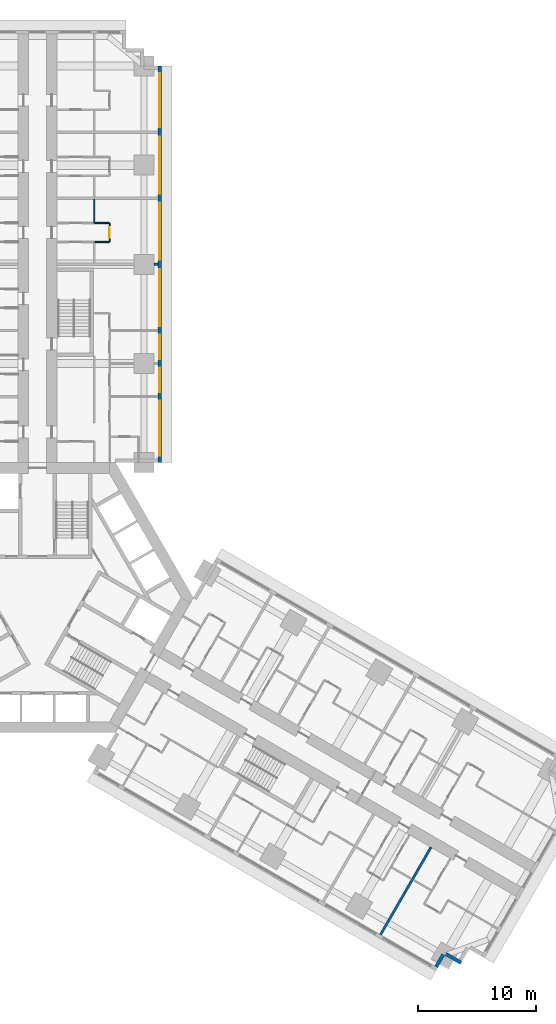
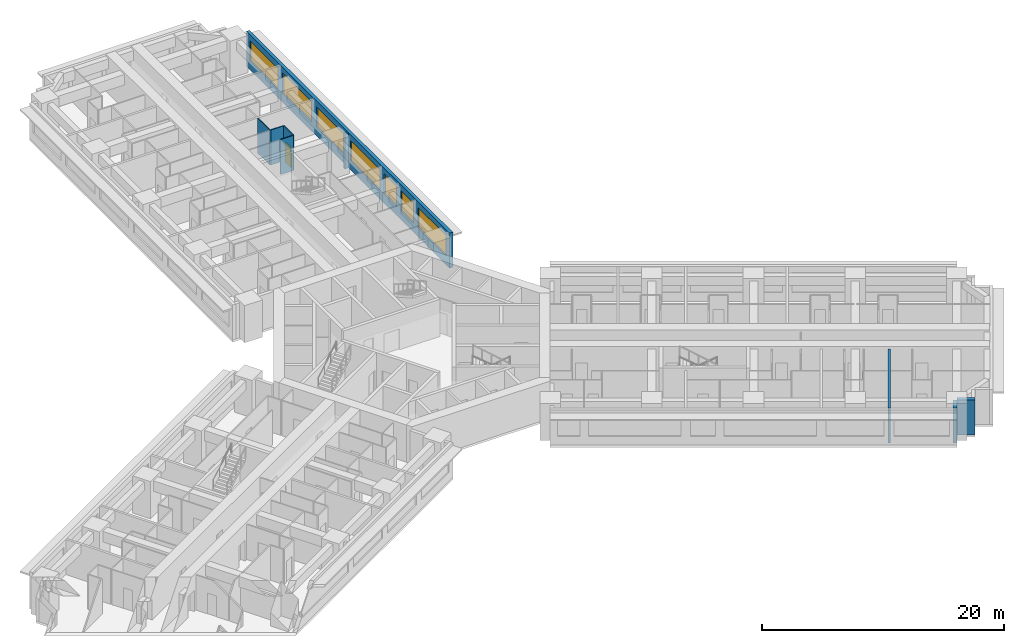
# One storey, part 11 of 17: 9 walls, 7 windows, 1 door, 8 openings.
"""IFC4 building model written with IfcOpenShell, lengths in metres."""

from ifc_helpers import new_model, si_unit, direction, frame, frame_2d, origin, place, context, subcontext, project, spatial, rectangle, extrude, material, layer, layer_set, type_object, element, fill, save


model = new_model("IFC4")

# Units and contexts
model_context = context("Model", 3, precision=1e-05, world=origin(), true_north=direction((0.0, 1.0)))
body_context = subcontext(model_context, "Body", "Model", "MODEL_VIEW")
ifc_project = project(units=[si_unit("LENGTHUNIT", "METRE"), si_unit("AREAUNIT", "SQUARE_METRE"), si_unit("VOLUMEUNIT", "CUBIC_METRE"), si_unit("PLANEANGLEUNIT", "RADIAN"), si_unit("MASSUNIT", "GRAM", prefix="KILO")], contexts=[model_context])

# Site, building, storey
site_placement = place(None, origin())
site = spatial("IfcSite", under=ifc_project, at=site_placement, CompositionType="ELEMENT")
building_placement = place(site_placement, origin())
building = spatial("IfcBuilding", under=site, at=building_placement, Name="Impinga Residences", CompositionType="ELEMENT")
storey_placement = place(building_placement, frame((0.0, 0.0, 33.5)))
storey = spatial("IfcBuildingStorey", under=building, at=storey_placement, Name="L07", CompositionType="ELEMENT", Elevation=33.5)

# Wall, openings, windows
ifc_material_1 = material(Name="Terracotta rainscreen on blockwork", Category="masonry")
ifc_layer_1 = layer(ifc_material_1, 0.300048828125)
ifc_layer_set_1 = layer_set([ifc_layer_1], Name="EW1 external wall, terracotta rainscreen on blockwork 300")
wall_type_1 = type_object("IfcWallType", Name="EW1 external wall, terracotta rainscreen on blockwork 300", PredefinedType="SOLIDWALL", material=ifc_layer_set_1)
wall_1_placement = place(storey_placement, frame((10.35009765625, 45.031494140625, 0.0), z_axis=(0.0, 0.0, 1.0), x_axis=(0.0, -1.0, 0.0)))
wall_1 = element("IfcWall", 1, at=wall_1_placement, inside=storey, type_object=wall_type_1, Name="External wall EW1 L07", PredefinedType="SOLIDWALL", context=body_context, shape_type="SweptSolid", body=[
    extrude(rectangle(XDim=33.599853515625, YDim=0.300048828125, at=frame_2d((16.7998046875, 0.0))), origin(), (0.0, 0.0, 1.0), 3.530029296875),
])
opening_1_placement = place(wall_1_placement, frame((0.60009765625, 0.0, 0.89990234375)))
opening_1 = element("IfcOpeningElement", 2, at=opening_1_placement, cuts=wall_1, Name="Opening W3", PredefinedType="OPENING", context=body_context, shape_type="SweptSolid", body=[
    extrude(rectangle(XDim=4.60009765625, YDim=2.050048828125, at=frame_2d((2.300048828125, 1.02490234375))), frame((0.0, 0.159912109375, 0.0), z_axis=(0.0, -1.0, 0.0), x_axis=(1.0, 0.0, 0.0)), (0.0, 0.0, 1.0), 0.320068359375),
])
opening_2_placement = place(wall_1_placement, frame((6.0, 0.0, 0.89990234375)))
opening_2 = element("IfcOpeningElement", 3, at=opening_2_placement, cuts=wall_1, Name="Opening W8", PredefinedType="OPENING", context=body_context, shape_type="SweptSolid", body=[
    extrude(rectangle(XDim=4.800048828125, YDim=2.050048828125, at=frame_2d((2.39990234375, 1.02490234375))), frame((0.0, 0.159912109375, 0.0), z_axis=(0.0, -1.0, 0.0), x_axis=(1.0, 0.0, 0.0)), (0.0, 0.0, 1.0), 0.320068359375),
])
opening_3_placement = place(wall_1_placement, frame((11.60009765625, 0.0, 0.89990234375)))
opening_3 = element("IfcOpeningElement", 4, at=opening_3_placement, cuts=wall_1, Name="Opening W8", PredefinedType="OPENING", context=body_context, shape_type="SweptSolid", body=[
    extrude(rectangle(XDim=4.800048828125, YDim=2.050048828125, at=frame_2d((2.39990234375, 1.02490234375))), frame((0.0, 0.159912109375, 0.0), z_axis=(0.0, -1.0, 0.0), x_axis=(1.0, 0.0, 0.0)), (0.0, 0.0, 1.0), 0.320068359375),
])
opening_4_placement = place(wall_1_placement, frame((17.199951171875, 0.0, 0.89990234375)))
opening_4 = element("IfcOpeningElement", 5, at=opening_4_placement, cuts=wall_1, Name="Opening W6", PredefinedType="OPENING", context=body_context, shape_type="SweptSolid", body=[
    extrude(rectangle(XDim=4.85009765625, YDim=2.050048828125, at=frame_2d((2.425048828125, 1.02490234375))), frame((0.0, 0.159912109375, 0.0), z_axis=(0.0, -1.0, 0.0), x_axis=(1.0, 0.0, 0.0)), (0.0, 0.0, 1.0), 0.320068359375),
])
opening_5_placement = place(wall_1_placement, frame((22.75, 0.0, 0.89990234375)))
opening_5 = element("IfcOpeningElement", 6, at=opening_5_placement, cuts=wall_1, Name="Opening W9", PredefinedType="OPENING", context=body_context, shape_type="SweptSolid", body=[
    extrude(rectangle(XDim=2.10009765625, YDim=2.050048828125, at=frame_2d((1.050048828125, 1.02490234375))), frame((0.0, 0.159912109375, 0.0), z_axis=(0.0, -1.0, 0.0), x_axis=(1.0, 0.0, 0.0)), (0.0, 0.0, 1.0), 0.320068359375),
])
opening_6_placement = place(wall_1_placement, frame((25.550048828125, 0.0, 0.89990234375)))
opening_6 = element("IfcOpeningElement", 7, at=opening_6_placement, cuts=wall_1, Name="Opening W9", PredefinedType="OPENING", context=body_context, shape_type="SweptSolid", body=[
    extrude(rectangle(XDim=2.10009765625, YDim=2.050048828125, at=frame_2d((1.050048828125, 1.02490234375))), frame((0.0, 0.159912109375, 0.0), z_axis=(0.0, -1.0, 0.0), x_axis=(1.0, 0.0, 0.0)), (0.0, 0.0, 1.0), 0.320068359375),
])
opening_7_placement = place(wall_1_placement, frame((28.35009765625, 0.0, 0.89990234375)))
opening_7 = element("IfcOpeningElement", 8, at=opening_7_placement, cuts=wall_1, Name="Opening W10", PredefinedType="OPENING", context=body_context, shape_type="SweptSolid", body=[
    extrude(rectangle(XDim=4.64990234375, YDim=2.050048828125, at=frame_2d((2.324951171875, 1.02490234375))), frame((0.0, 0.159912109375, 0.0), z_axis=(0.0, -1.0, 0.0), x_axis=(1.0, 0.0, 0.0)), (0.0, 0.0, 1.0), 0.320068359375),
])
ifc_material_2 = material(Name="Aluminium window, clear double glazing", Category="aluminium")
window_type_1 = type_object("IfcWindowType", Name="W10 ribbon window 4650x2050", PartitioningType="SINGLE_PANEL", PredefinedType="WINDOW", material=ifc_material_2)
window_1_placement = place(opening_7_placement, origin())
window_1 = element("IfcWindow", 9, at=window_1_placement, inside=storey, type_object=window_type_1, Name="Window L07", OverallHeight=2.050048828125, OverallWidth=4.64990234375, PartitioningType="SINGLE_PANEL", PredefinedType="WINDOW", context=body_context, shape_type="SweptSolid", body=[
    extrude(rectangle(XDim=4.64990234375, YDim=2.050048828125, at=frame_2d((2.324951171875, 1.02490234375))), frame((0.0, 0.030029296875, 0.0), z_axis=(0.0, -1.0, 0.0), x_axis=(1.0, 0.0, 0.0)), (0.0, 0.0, 1.0), 0.06005859375),
])
fill(opening_7, window_1)
window_type_2 = type_object("IfcWindowType", Name="W3 ribbon window 4600x2050", PartitioningType="SINGLE_PANEL", PredefinedType="WINDOW", material=ifc_material_2)
window_2_placement = place(opening_1_placement, origin())
window_2 = element("IfcWindow", 10, at=window_2_placement, inside=storey, type_object=window_type_2, Name="Window L07", OverallHeight=2.050048828125, OverallWidth=4.60009765625, PartitioningType="SINGLE_PANEL", PredefinedType="WINDOW", context=body_context, shape_type="SweptSolid", body=[
    extrude(rectangle(XDim=4.60009765625, YDim=2.050048828125, at=frame_2d((2.300048828125, 1.02490234375))), frame((0.0, 0.030029296875, 0.0), z_axis=(0.0, -1.0, 0.0), x_axis=(1.0, 0.0, 0.0)), (0.0, 0.0, 1.0), 0.06005859375),
])
fill(opening_1, window_2)
window_type_3 = type_object("IfcWindowType", Name="W6 ribbon window 4850x2050", PartitioningType="SINGLE_PANEL", PredefinedType="WINDOW", material=ifc_material_2)
window_3_placement = place(opening_4_placement, origin())
window_3 = element("IfcWindow", 11, at=window_3_placement, inside=storey, type_object=window_type_3, Name="Window L07", OverallHeight=2.050048828125, OverallWidth=4.85009765625, PartitioningType="SINGLE_PANEL", PredefinedType="WINDOW", context=body_context, shape_type="SweptSolid", body=[
    extrude(rectangle(XDim=4.85009765625, YDim=2.050048828125, at=frame_2d((2.425048828125, 1.02490234375))), frame((0.0, 0.030029296875, 0.0), z_axis=(0.0, -1.0, 0.0), x_axis=(1.0, 0.0, 0.0)), (0.0, 0.0, 1.0), 0.06005859375),
])
fill(opening_4, window_3)
window_type_4 = type_object("IfcWindowType", Name="W8 ribbon window 4800x2050", PartitioningType="SINGLE_PANEL", PredefinedType="WINDOW", material=ifc_material_2)
window_4_placement = place(opening_2_placement, origin())
window_4 = element("IfcWindow", 12, at=window_4_placement, inside=storey, type_object=window_type_4, Name="Window L07", OverallHeight=2.050048828125, OverallWidth=4.800048828125, PartitioningType="SINGLE_PANEL", PredefinedType="WINDOW", context=body_context, shape_type="SweptSolid", body=[
    extrude(rectangle(XDim=4.800048828125, YDim=2.050048828125, at=frame_2d((2.39990234375, 1.02490234375))), frame((0.0, 0.030029296875, 0.0), z_axis=(0.0, -1.0, 0.0), x_axis=(1.0, 0.0, 0.0)), (0.0, 0.0, 1.0), 0.06005859375),
])
fill(opening_2, window_4)
window_5_placement = place(opening_3_placement, origin())
window_5 = element("IfcWindow", 13, at=window_5_placement, inside=storey, type_object=window_type_4, Name="Window L07", OverallHeight=2.050048828125, OverallWidth=4.800048828125, PartitioningType="SINGLE_PANEL", PredefinedType="WINDOW", context=body_context, shape_type="SweptSolid", body=[
    extrude(rectangle(XDim=4.800048828125, YDim=2.050048828125, at=frame_2d((2.39990234375, 1.02490234375))), frame((0.0, 0.030029296875, 0.0), z_axis=(0.0, -1.0, 0.0), x_axis=(1.0, 0.0, 0.0)), (0.0, 0.0, 1.0), 0.06005859375),
])
fill(opening_3, window_5)
window_type_5 = type_object("IfcWindowType", Name="W9 ribbon window 2100x2050", PartitioningType="SINGLE_PANEL", PredefinedType="WINDOW", material=ifc_material_2)
window_6_placement = place(opening_5_placement, origin())
window_6 = element("IfcWindow", 14, at=window_6_placement, inside=storey, type_object=window_type_5, Name="Window L07", OverallHeight=2.050048828125, OverallWidth=2.10009765625, PartitioningType="SINGLE_PANEL", PredefinedType="WINDOW", context=body_context, shape_type="SweptSolid", body=[
    extrude(rectangle(XDim=2.10009765625, YDim=2.050048828125, at=frame_2d((1.050048828125, 1.02490234375))), frame((0.0, 0.030029296875, 0.0), z_axis=(0.0, -1.0, 0.0), x_axis=(1.0, 0.0, 0.0)), (0.0, 0.0, 1.0), 0.06005859375),
])
fill(opening_5, window_6)
window_7_placement = place(opening_6_placement, origin())
window_7 = element("IfcWindow", 15, at=window_7_placement, inside=storey, type_object=window_type_5, Name="Window L07", OverallHeight=2.050048828125, OverallWidth=2.10009765625, PartitioningType="SINGLE_PANEL", PredefinedType="WINDOW", context=body_context, shape_type="SweptSolid", body=[
    extrude(rectangle(XDim=2.10009765625, YDim=2.050048828125, at=frame_2d((1.050048828125, 1.02490234375))), frame((0.0, 0.030029296875, 0.0), z_axis=(0.0, -1.0, 0.0), x_axis=(1.0, 0.0, 0.0)), (0.0, 0.0, 1.0), 0.06005859375),
])
fill(opening_6, window_7)

# Walls
wall_2_placement = place(storey_placement, frame((35.87255859375, -30.93017578125, 0.0), z_axis=(0.0, 0.0, 1.0), x_axis=(-0.866031096941, 0.499990139034, 0.0)))
element("IfcWall", 16, at=wall_2_placement, inside=storey, type_object=wall_type_1, Name="External wall EW1 L07", PredefinedType="SOLIDWALL", context=body_context, shape_type="SweptSolid", body=[
    extrude(rectangle(XDim=1.5, YDim=0.300048828125, at=frame_2d((0.75, 0.0))), origin(), (0.0, 0.0, 1.0), 3.530029296875),
])
wall_3_placement = place(storey_placement, frame((34.365966796875, -30.2392578125, 0.0), z_axis=(0.0, 0.0, 1.0), x_axis=(-0.499940577336, -0.866059708757, 0.0)))
element("IfcWall", 17, at=wall_3_placement, inside=storey, type_object=wall_type_1, Name="External wall EW1 L07", PredefinedType="SOLIDWALL", context=body_context, shape_type="SweptSolid", body=[
    extrude(rectangle(XDim=1.195068359375, YDim=0.300048828125, at=frame_2d((0.59765625, 0.0))), origin(), (0.0, 0.0, 1.0), 3.530029296875),
])
ifc_material_3 = material(Name="Gypsum board on steel studs", Category="steel")
ifc_layer_2 = layer(ifc_material_3, 0.10009765625)
ifc_layer_set_2 = layer_set([ifc_layer_2], Name="Gypsum board on steel studs")
wall_type_2 = type_object("IfcWallType", Name="IP1 partition 100", PredefinedType="PARTITIONING", material=ifc_layer_set_2)
wall_4_placement = place(storey_placement, frame((4.800048828125, 31.7314453125, 0.0), z_axis=(0.0, 0.0, 1.0), x_axis=(0.0, 1.0, 0.0)))
element("IfcWall", 18, at=wall_4_placement, inside=storey, type_object=wall_type_2, Name="Partition L07-NF2:DIV1", PredefinedType="PARTITIONING", context=body_context, shape_type="SweptSolid", body=[
    extrude(rectangle(XDim=2.0, YDim=0.10009765625, at=frame_2d((1.0, 0.0))), origin(), (0.0, 0.0, 1.0), 3.530029296875),
])

# Wall, opening, door
wall_5_placement = place(storey_placement, frame((6.10009765625, 30.131591796875, 0.0), z_axis=(0.0, 0.0, 1.0), x_axis=(0.0, 1.0, 0.0)))
wall_5 = element("IfcWall", 19, at=wall_5_placement, inside=storey, type_object=wall_type_2, Name="Partition L07-NF2:STRIP", PredefinedType="PARTITIONING", context=body_context, shape_type="SweptSolid", body=[
    extrude(rectangle(XDim=1.599853515625, YDim=0.10009765625, at=frame_2d((0.7998046875, 0.0))), origin(), (0.0, 0.0, 1.0), 3.530029296875),
])
opening_8_placement = place(wall_5_placement, frame((0.35009765625, 0.0, 0.0)))
opening_8 = element("IfcOpeningElement", 20, at=opening_8_placement, cuts=wall_5, Name="Opening D2", PredefinedType="OPENING", context=body_context, shape_type="SweptSolid", body=[
    extrude(rectangle(XDim=0.89990234375, YDim=2.10009765625, at=frame_2d((0.449951171875, 1.050048828125))), frame((0.0, 0.06005859375, 0.0), z_axis=(0.0, -1.0, 0.0), x_axis=(1.0, 0.0, 0.0)), (0.0, 0.0, 1.0), 0.1201171875),
])
ifc_material_4 = material(Name="Timber door set", Category="wood")
door_type = type_object("IfcDoorType", Name="D2 internal door 900x2100", OperationType="SINGLE_SWING_LEFT", PredefinedType="DOOR", material=ifc_material_4)
door_placement = place(opening_8_placement, origin())
door = element("IfcDoor", 21, at=door_placement, inside=storey, type_object=door_type, Name="Apartment L07-NF2 room door", OperationType="SINGLE_SWING_LEFT", OverallHeight=2.10009765625, OverallWidth=0.89990234375, PredefinedType="DOOR", context=body_context, shape_type="SweptSolid", body=[
    extrude(rectangle(XDim=0.89990234375, YDim=2.10009765625, at=frame_2d((0.449951171875, 1.050048828125))), frame((0.0, 0.02490234375, 0.0), z_axis=(0.0, -1.0, 0.0), x_axis=(1.0, 0.0, 0.0)), (0.0, 0.0, 1.0), 0.050048828125),
])
fill(opening_8, door)

# Walls
for number, where, z_axis, x_axis, name in (
    (22, (4.85009765625, 30.131591796875, 0.0), (0.0, 0.0, 1.0), (1.0, 0.0, 0.0), "Partition L07-NF2:SE0"),
    (23, (4.85009765625, 31.7314453125, 0.0), (0.0, 0.0, 1.0), (1.0, 0.0, 0.0), "Partition L07-NF2:SE1"),
):
    element("IfcWall", number, at=place(storey_placement, frame(where, z_axis=z_axis, x_axis=x_axis)), inside=storey, type_object=wall_type_2, Name=name, PredefinedType="PARTITIONING", context=body_context, shape_type="SweptSolid", body=[
        extrude(rectangle(XDim=1.199951171875, YDim=0.10009765625, at=frame_2d((0.60009765625, 0.0))), origin(), (0.0, 0.0, 1.0), 3.530029296875),
    ])
ifc_material_5 = material(Name="Concrete blockwork", Category="masonry")
ifc_layer_3 = layer(ifc_material_5, 0.199951171875)
ifc_layer_set_3 = layer_set([ifc_layer_3], Name="PW1 party wall between apartments 200")
wall_type_3 = type_object("IfcWallType", Name="PW1 party wall between apartments 200", PredefinedType="SOLIDWALL", material=ifc_layer_set_3)
wall_6_placement = place(storey_placement, frame((9.85009765625, 28.2314453125, 0.0), z_axis=(0.0, 0.0, 1.0), x_axis=(1.0, 0.0, 0.0)))
element("IfcWall", 24, at=wall_6_placement, inside=storey, type_object=wall_type_3, Name="Party wall between apartments L07-NF1:PARTYb", PredefinedType="SOLIDWALL", context=body_context, shape_type="SweptSolid", body=[
    extrude(rectangle(XDim=0.349853515625, YDim=0.199951171875, at=frame_2d((0.1748046875, 0.0))), origin(), (0.0, 0.0, 1.0), 3.530029296875),
])
wall_7_placement = place(storey_placement, frame((33.32373046875, -21.144775390625, 0.0), z_axis=(0.0, 0.0, 1.0), x_axis=(-0.499990227581, -0.86603104582, 0.0)))
element("IfcWall", 25, at=wall_7_placement, inside=storey, type_object=wall_type_3, Name="Party wall between apartments L07-EF3:PARTY", PredefinedType="SOLIDWALL", context=body_context, shape_type="SweptSolid", body=[
    extrude(rectangle(XDim=8.550048828125, YDim=0.199951171875, at=frame_2d((4.27490234375, 0.0))), origin(), (0.0, 0.0, 1.0), 3.530029296875),
])

save(model, "model.ifc")
